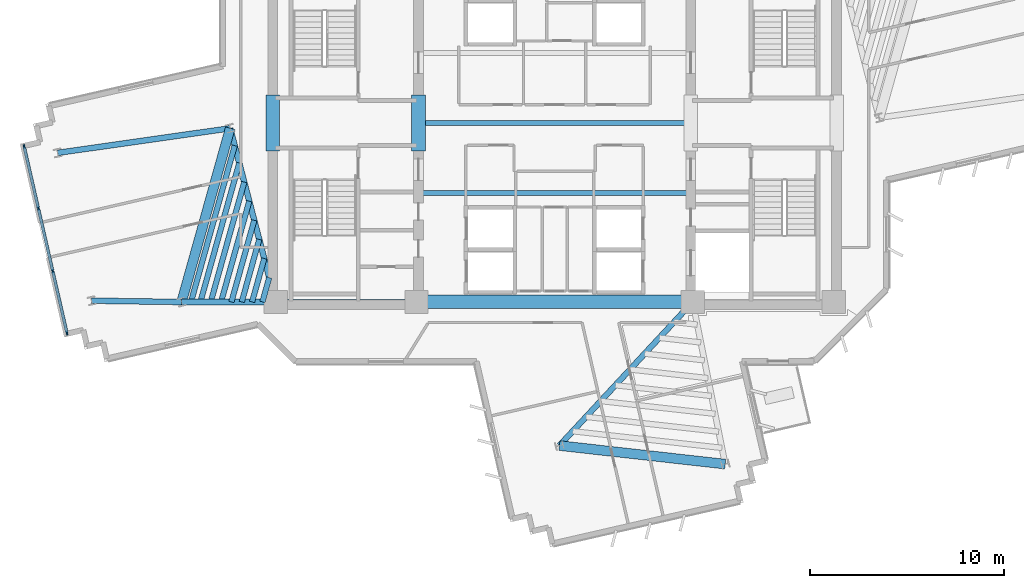
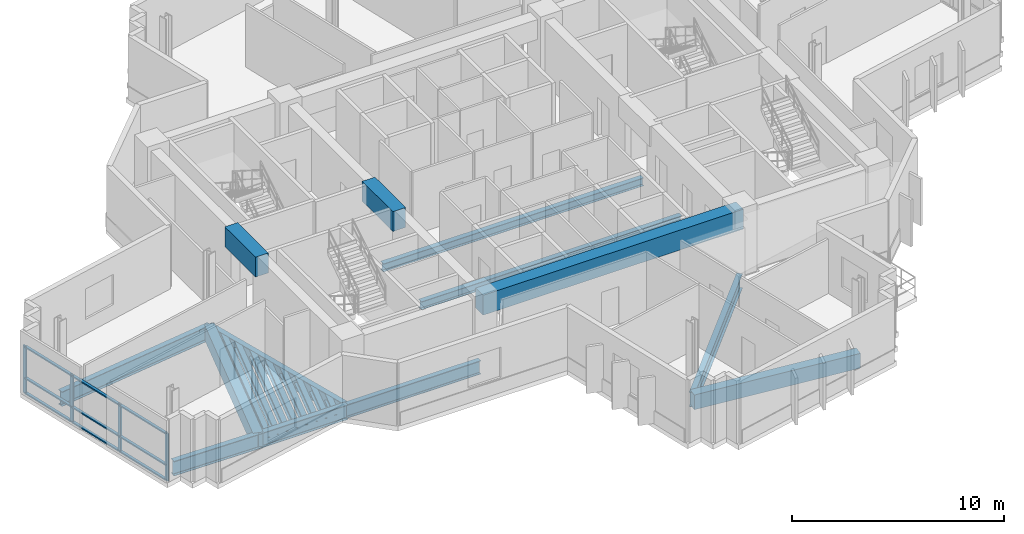
# One storey, part 2 of 13: 21 beams, 13 members, 1 element without a shape of its own.
"""IFC4 building model written with IfcOpenShell, lengths in metres."""

from ifc_helpers import new_model, si_unit, direction, frame, origin, origin_2d, place, context, subcontext, project, spatial, rectangle, i_section, extrude, source, transform, mapped, material, layer, layer_set, material_profile, profile_set, type_object, element, aggregate, save


model = new_model("IFC4")

# Units and contexts
model_context = context("Model", 3, precision=1e-05, world=origin(), true_north=direction((0.0, 1.0)))
body_context = subcontext(model_context, "Body", "Model", "MODEL_VIEW")
ifc_project = project(units=[si_unit("LENGTHUNIT", "METRE"), si_unit("AREAUNIT", "SQUARE_METRE"), si_unit("VOLUMEUNIT", "CUBIC_METRE"), si_unit("PLANEANGLEUNIT", "RADIAN"), si_unit("MASSUNIT", "GRAM", prefix="KILO")], contexts=[model_context])

# Site, building, storey
site_placement = place(None, origin())
site = spatial("IfcSite", under=ifc_project, at=site_placement, CompositionType="ELEMENT")
building_placement = place(site_placement, origin())
building = spatial("IfcBuilding", under=site, at=building_placement, Name="Zahravan Cultural Tower", CompositionType="ELEMENT")
storey_placement = place(building_placement, frame((0.0, 0.0, 170.699951171875)))
storey = spatial("IfcBuildingStorey", under=building, at=storey_placement, Name="L39", CompositionType="ELEMENT", Elevation=170.699951171875)

# Beams
ifc_material_1 = material(Name="Concrete C50/60", Category="concrete")
ifc_material_profile_1 = material_profile(ifc_material_1, rectangle(XDim=0.699951171875, YDim=1.14990234375, at=origin_2d()), Name="RC700X1150")
ifc_profile_set_1 = profile_set([ifc_material_profile_1], Name="Concrete C50/60")
beam_type_1 = type_object("IfcBeamType", Name="BM-LN-RC700X1150", PredefinedType="LINTEL", material=ifc_profile_set_1)
shared_shape_1 = source(origin(), body_context, "Body", "SweptSolid", [
    extrude(rectangle(XDim=0.699951171875, YDim=1.14990234375, at=origin_2d()), origin(), (0.0, 0.0, 1.0), 14.2001953125),
])
beam_1_placement = place(storey_placement, frame((28.89990234375, 17.800048828125, 3.045166015625), z_axis=(1.0, 0.0, 0.0), x_axis=(0.0, 1.0, 0.0)))
element("IfcBeam", 1, at=beam_1_placement, inside=storey, type_object=beam_type_1, Name="L39 Beam LN-L39-S", PredefinedType="LINTEL", context=body_context, shape_type="MappedRepresentation", body=[
    mapped(shared_shape_1, transform((0.0, 0.0, 0.0), x_axis=(1.0, 0.0, 0.0), y_axis=(0.0, 1.0, 0.0), z_axis=(0.0, 0.0, 1.0), scale=1.0)),
])
shared_shape_2 = source(origin(), body_context, "Body", "SweptSolid", [
    extrude(rectangle(XDim=0.699951171875, YDim=1.14990234375, at=origin_2d()), origin(), (0.0, 0.0, 1.0), 2.89990234375),
])
for number, where, z_axis, x_axis, name in (
    (2, (21.5, 25.550048828125, 3.045166015625), (0.0, 1.0, 0.0), (-1.0, 0.0, 0.0), "L39 Beam LN-L39-PWW"),
    (3, (29.0, 25.550048828125, 3.045166015625), (0.0, 1.0, 0.0), (-1.0, 0.0, 0.0), "L39 Beam LN-L39-PWE"),
):
    element("IfcBeam", number, at=place(storey_placement, frame(where, z_axis=z_axis, x_axis=x_axis)), inside=storey, type_object=beam_type_1, Name=name, PredefinedType="LINTEL", context=body_context, shape_type="MappedRepresentation", body=[
        mapped(shared_shape_2, transform((0.0, 0.0, 0.0), x_axis=(1.0, 0.0, 0.0), y_axis=(0.0, 1.0, 0.0), z_axis=(0.0, 0.0, 1.0), scale=1.0)),
    ])
ifc_material_2 = material(Name="Steel ASTM A992 Grade 50", Category="steel")
ifc_material_profile_2 = material_profile(ifc_material_2, i_section(OverallWidth=0.26611328125, OverallDepth=0.780029296875, WebThickness=0.0166015625, FlangeThickness=0.030029296875, FilletRadius=0.01904296875, at=origin_2d()), Name="W30X148")
ifc_profile_set_2 = profile_set([ifc_material_profile_2], Name="Steel ASTM A992 Grade 50")
beam_type_2 = type_object("IfcBeamType", Name="BM-G-W30X148", PredefinedType="BEAM", material=ifc_profile_set_2)
shared_shape_3 = source(origin(), body_context, "Body", "SweptSolid", [
    extrude(i_section(OverallWidth=0.26611328125, OverallDepth=0.780029296875, WebThickness=0.0166015625, FlangeThickness=0.030029296875, FilletRadius=0.01904296875, at=origin_2d()), origin(), (0.0, 0.0, 1.0), 7.25),
])
beam_2_placement = place(storey_placement, frame((21.64990234375, 17.800048828125, -0.669921875), z_axis=(1.0, 0.0, 0.0), x_axis=(0.0, 1.0, 0.0)))
element("IfcBeam", 4, at=beam_2_placement, inside=storey, type_object=beam_type_2, Name="L39 Beam BG-L39-01", PredefinedType="BEAM", context=body_context, shape_type="MappedRepresentation", body=[
    mapped(shared_shape_3, transform((0.0, 0.0, 0.0), x_axis=(1.0, 0.0, 0.0), y_axis=(0.0, 1.0, 0.0), z_axis=(0.0, 0.0, 1.0), scale=1.0)),
])
ifc_material_profile_3 = material_profile(ifc_material_1, rectangle(XDim=0.5, YDim=0.85009765625, at=origin_2d()), Name="RC500X850")
ifc_profile_set_3 = profile_set([ifc_material_profile_3], Name="Concrete C50/60")
beam_type_3 = type_object("IfcBeamType", Name="BM-SP-RC500X850", PredefinedType="SPANDREL", material=ifc_profile_set_3)
shared_shape_4 = source(origin(), body_context, "Body", "SweptSolid", [
    extrude(rectangle(XDim=0.5, YDim=0.85009765625, at=origin_2d()), origin(), (0.0, 0.0, 1.0), 9.2783203125),
])
beam_3_placement = place(storey_placement, frame((19.315673828125, 26.72900390625, -0.704833984375), z_axis=(-0.269497187032, -0.963001176625, 0.0), x_axis=(0.963001176625, -0.269497187032, 0.0)))
element("IfcBeam", 5, at=beam_3_placement, inside=storey, type_object=beam_type_3, Name="L39 Beam SP-L39-19", PredefinedType="SPANDREL", context=body_context, shape_type="MappedRepresentation", body=[
    mapped(shared_shape_4, transform((0.0, 0.0, 0.0), x_axis=(1.0, 0.0, 0.0), y_axis=(0.0, 1.0, 0.0), z_axis=(0.0, 0.0, 1.0), scale=1.0)),
])
shared_shape_5 = source(origin(), body_context, "Body", "SweptSolid", [
    extrude(rectangle(XDim=0.5, YDim=0.85009765625, at=origin_2d()), origin(), (0.0, 0.0, 1.0), 8.579833984375),
])
beam_4_placement = place(storey_placement, frame((36.245361328125, 10.412353515625, -0.704833984375), z_axis=(0.9938040105, -0.11114669907, 0.0), x_axis=(0.11114669907, 0.9938040105, 0.0)))
element("IfcBeam", 6, at=beam_4_placement, inside=storey, type_object=beam_type_3, Name="L39 Beam SP-L39-20", PredefinedType="SPANDREL", context=body_context, shape_type="MappedRepresentation", body=[
    mapped(shared_shape_5, transform((0.0, 0.0, 0.0), x_axis=(1.0, 0.0, 0.0), y_axis=(0.0, 1.0, 0.0), z_axis=(0.0, 0.0, 1.0), scale=1.0)),
])
ifc_material_profile_4 = material_profile(ifc_material_2, i_section(OverallWidth=0.29296875, OverallDepth=0.845947265625, WebThickness=0.015380859375, FlangeThickness=0.0244140625, FilletRadius=0.02001953125, at=origin_2d()), Name="W33X141")
ifc_profile_set_4 = profile_set([ifc_material_profile_4], Name="Steel ASTM A992 Grade 50")
beam_type_4 = type_object("IfcBeamType", Name="BM-G-W33X141", PredefinedType="BEAM", material=ifc_profile_set_4)
shared_shape_6 = source(origin(), body_context, "Body", "SweptSolid", [
    extrude(i_section(OverallWidth=0.29296875, OverallDepth=0.845947265625, WebThickness=0.015380859375, FlangeThickness=0.0244140625, FilletRadius=0.02001953125, at=origin_2d()), origin(), (0.0, 0.0, 1.0), 9.22900390625),
])
beam_5_placement = place(storey_placement, frame((21.64990234375, 17.800048828125, -0.702880859375), z_axis=(-0.252922608408, 0.967486513682, 0.0), x_axis=(-0.967486513682, -0.252922608408, 0.0)))
element("IfcBeam", 7, at=beam_5_placement, inside=storey, type_object=beam_type_4, Name="L39 Beam BG-L39-07", PredefinedType="BEAM", context=body_context, shape_type="MappedRepresentation", body=[
    mapped(shared_shape_6, transform((0.0, 0.0, 0.0), x_axis=(1.0, 0.0, 0.0), y_axis=(0.0, 1.0, 0.0), z_axis=(0.0, 0.0, 1.0), scale=1.0)),
])
shared_shape_7 = source(origin(), body_context, "Body", "SweptSolid", [
    extrude(i_section(OverallWidth=0.29296875, OverallDepth=0.845947265625, WebThickness=0.015380859375, FlangeThickness=0.0244140625, FilletRadius=0.02001953125, at=origin_2d()), origin(), (0.0, 0.0, 1.0), 4.834716796875),
])
beam_6_placement = place(storey_placement, frame((21.64990234375, 17.800048828125, -0.702880859375), z_axis=(-0.99999920313, -0.001262433979, 0.0), x_axis=(0.001262433979, -0.99999920313, 0.0)))
element("IfcBeam", 8, at=beam_6_placement, inside=storey, type_object=beam_type_4, Name="L39 Beam BG-L39-08", PredefinedType="BEAM", context=body_context, shape_type="MappedRepresentation", body=[
    mapped(shared_shape_7, transform((0.0, 0.0, 0.0), x_axis=(1.0, 0.0, 0.0), y_axis=(0.0, 1.0, 0.0), z_axis=(0.0, 0.0, 1.0), scale=1.0)),
])
shared_shape_8 = source(origin(), body_context, "Body", "SweptSolid", [
    extrude(i_section(OverallWidth=0.29296875, OverallDepth=0.845947265625, WebThickness=0.015380859375, FlangeThickness=0.0244140625, FilletRadius=0.02001953125, at=origin_2d()), origin(), (0.0, 0.0, 1.0), 10.077880859375),
])
beam_7_placement = place(storey_placement, frame((43.10009765625, 17.800048828125, -0.702880859375), z_axis=(-0.680170435587, -0.733054007938, 0.0), x_axis=(0.733054007938, -0.680170435587, 0.0)))
element("IfcBeam", 9, at=beam_7_placement, inside=storey, type_object=beam_type_4, Name="L39 Beam BG-L39-09", PredefinedType="BEAM", context=body_context, shape_type="MappedRepresentation", body=[
    mapped(shared_shape_8, transform((0.0, 0.0, 0.0), x_axis=(1.0, 0.0, 0.0), y_axis=(0.0, 1.0, 0.0), z_axis=(0.0, 0.0, 1.0), scale=1.0)),
])
shared_shape_9 = source(origin(), body_context, "Body", "SweptSolid", [
    extrude(i_section(OverallWidth=0.29296875, OverallDepth=0.845947265625, WebThickness=0.015380859375, FlangeThickness=0.0244140625, FilletRadius=0.02001953125, at=origin_2d()), origin(), (0.0, 0.0, 1.0), 8.9580078125),
])
beam_8_placement = place(storey_placement, frame((19.315673828125, 26.72900390625, -0.702880859375), z_axis=(-0.990000122431, -0.141066500584, 0.0), x_axis=(0.141066500584, -0.990000122431, 0.0)))
element("IfcBeam", 10, at=beam_8_placement, inside=storey, type_object=beam_type_4, Name="L39 Beam BG-L39-17", PredefinedType="BEAM", context=body_context, shape_type="MappedRepresentation", body=[
    mapped(shared_shape_9, transform((0.0, 0.0, 0.0), x_axis=(1.0, 0.0, 0.0), y_axis=(0.0, 1.0, 0.0), z_axis=(0.0, 0.0, 1.0), scale=1.0)),
])
shared_shape_10 = source(origin(), body_context, "Body", "SweptSolid", [
    extrude(i_section(OverallWidth=0.29296875, OverallDepth=0.845947265625, WebThickness=0.015380859375, FlangeThickness=0.0244140625, FilletRadius=0.02001953125, at=origin_2d()), origin(), (0.0, 0.0, 1.0), 4.622314453125),
])
beam_9_placement = place(storey_placement, frame((16.815185546875, 17.7939453125, -0.702880859375), z_axis=(-0.999889070044, 0.014894549562, 0.0), x_axis=(-0.014894549562, -0.999889070044, 0.0)))
element("IfcBeam", 11, at=beam_9_placement, inside=storey, type_object=beam_type_4, Name="L39 Beam BG-L39-18", PredefinedType="BEAM", context=body_context, shape_type="MappedRepresentation", body=[
    mapped(shared_shape_10, transform((0.0, 0.0, 0.0), x_axis=(1.0, 0.0, 0.0), y_axis=(0.0, 1.0, 0.0), z_axis=(0.0, 0.0, 1.0), scale=1.0)),
])
ifc_material_profile_5 = material_profile(ifc_material_2, i_section(OverallWidth=0.280029296875, OverallDepth=0.462890625, WebThickness=0.0107421875, FlangeThickness=0.017333984375, FilletRadius=0.012939453125, at=origin_2d()), Name="W18X76")
ifc_profile_set_5 = profile_set([ifc_material_profile_5], Name="Steel ASTM A992 Grade 50")
beam_type_5 = type_object("IfcBeamType", Name="BM-J-W18X76", PredefinedType="JOIST", material=ifc_profile_set_5)
shared_shape_11 = source(origin(), body_context, "Body", "SweptSolid", [
    extrude(i_section(OverallWidth=0.280029296875, OverallDepth=0.462890625, WebThickness=0.0107421875, FlangeThickness=0.017333984375, FilletRadius=0.012939453125, at=origin_2d()), origin(), (0.0, 0.0, 1.0), 14.2001953125),
])
for number, where, z_axis, x_axis, name in (
    (12, (28.89990234375, 23.39990234375, -0.511474609375), (1.0, 0.0, 0.0), (0.0, 1.0, 0.0), "L39 Beam BJ-L39-23"),
    (13, (28.89990234375, 27.0, -0.511474609375), (1.0, 0.0, 0.0), (0.0, 1.0, 0.0), "L39 Beam BJ-L39-24"),
):
    element("IfcBeam", number, at=place(storey_placement, frame(where, z_axis=z_axis, x_axis=x_axis)), inside=storey, type_object=beam_type_5, Name=name, PredefinedType="JOIST", context=body_context, shape_type="MappedRepresentation", body=[
        mapped(shared_shape_11, transform((0.0, 0.0, 0.0), x_axis=(1.0, 0.0, 0.0), y_axis=(0.0, 1.0, 0.0), z_axis=(0.0, 0.0, 1.0), scale=1.0)),
    ])
shared_shape_12 = source(origin(), body_context, "Body", "SweptSolid", [
    extrude(i_section(OverallWidth=0.280029296875, OverallDepth=0.462890625, WebThickness=0.0107421875, FlangeThickness=0.017333984375, FilletRadius=0.012939453125, at=origin_2d()), origin(), (0.0, 0.0, 1.0), 1.299072265625),
])
beam_10_placement = place(storey_placement, frame((21.3232421875, 19.050048828125, -0.511474609375), z_axis=(-0.269504444708, -0.962999145525, 0.0), x_axis=(0.962999145525, -0.269504444708, 0.0)))
element("IfcBeam", 14, at=beam_10_placement, inside=storey, type_object=beam_type_5, Name="L39 Beam BJ-L39-26", PredefinedType="JOIST", context=body_context, shape_type="MappedRepresentation", body=[
    mapped(shared_shape_12, transform((0.0, 0.0, 0.0), x_axis=(1.0, 0.0, 0.0), y_axis=(0.0, 1.0, 0.0), z_axis=(0.0, 0.0, 1.0), scale=1.0)),
])
shared_shape_13 = source(origin(), body_context, "Body", "SweptSolid", [
    extrude(i_section(OverallWidth=0.280029296875, OverallDepth=0.462890625, WebThickness=0.0107421875, FlangeThickness=0.017333984375, FilletRadius=0.012939453125, at=origin_2d()), origin(), (0.0, 0.0, 1.0), 2.3193359375),
])
beam_11_placement = place(storey_placement, frame((21.06640625, 20.0322265625, -0.511474609375), z_axis=(-0.269462038626, -0.963011012263, 0.0), x_axis=(0.963011012263, -0.269462038626, 0.0)))
element("IfcBeam", 15, at=beam_11_placement, inside=storey, type_object=beam_type_5, Name="L39 Beam BJ-L39-27", PredefinedType="JOIST", context=body_context, shape_type="MappedRepresentation", body=[
    mapped(shared_shape_13, transform((0.0, 0.0, 0.0), x_axis=(1.0, 0.0, 0.0), y_axis=(0.0, 1.0, 0.0), z_axis=(0.0, 0.0, 1.0), scale=1.0)),
])
shared_shape_14 = source(origin(), body_context, "Body", "SweptSolid", [
    extrude(i_section(OverallWidth=0.280029296875, OverallDepth=0.462890625, WebThickness=0.0107421875, FlangeThickness=0.017333984375, FilletRadius=0.012939453125, at=origin_2d()), origin(), (0.0, 0.0, 1.0), 3.340087890625),
])
beam_12_placement = place(storey_placement, frame((20.809814453125, 21.014404296875, -0.511474609375), z_axis=(-0.269562146951, -0.962982995141, 0.0), x_axis=(0.962982995141, -0.269562146951, 0.0)))
element("IfcBeam", 16, at=beam_12_placement, inside=storey, type_object=beam_type_5, Name="L39 Beam BJ-L39-28", PredefinedType="JOIST", context=body_context, shape_type="MappedRepresentation", body=[
    mapped(shared_shape_14, transform((0.0, 0.0, 0.0), x_axis=(1.0, 0.0, 0.0), y_axis=(0.0, 1.0, 0.0), z_axis=(0.0, 0.0, 1.0), scale=1.0)),
])
shared_shape_15 = source(origin(), body_context, "Body", "SweptSolid", [
    extrude(i_section(OverallWidth=0.280029296875, OverallDepth=0.462890625, WebThickness=0.0107421875, FlangeThickness=0.017333984375, FilletRadius=0.012939453125, at=origin_2d()), origin(), (0.0, 0.0, 1.0), 4.36083984375),
])
beam_13_placement = place(storey_placement, frame((20.552978515625, 21.99658203125, -0.511474609375), z_axis=(-0.269511557673, -0.962997154866, 0.0), x_axis=(0.962997154866, -0.269511557673, 0.0)))
element("IfcBeam", 17, at=beam_13_placement, inside=storey, type_object=beam_type_5, Name="L39 Beam BJ-L39-29", PredefinedType="JOIST", context=body_context, shape_type="MappedRepresentation", body=[
    mapped(shared_shape_15, transform((0.0, 0.0, 0.0), x_axis=(1.0, 0.0, 0.0), y_axis=(0.0, 1.0, 0.0), z_axis=(0.0, 0.0, 1.0), scale=1.0)),
])
shared_shape_16 = source(origin(), body_context, "Body", "SweptSolid", [
    extrude(i_section(OverallWidth=0.280029296875, OverallDepth=0.462890625, WebThickness=0.0107421875, FlangeThickness=0.017333984375, FilletRadius=0.012939453125, at=origin_2d()), origin(), (0.0, 0.0, 1.0), 5.3818359375),
])
beam_14_placement = place(storey_placement, frame((20.296142578125, 22.97900390625, -0.511474609375), z_axis=(-0.269510454638, -0.962997463569, 0.0), x_axis=(0.962997463569, -0.269510454638, 0.0)))
element("IfcBeam", 18, at=beam_14_placement, inside=storey, type_object=beam_type_5, Name="L39 Beam BJ-L39-30", PredefinedType="JOIST", context=body_context, shape_type="MappedRepresentation", body=[
    mapped(shared_shape_16, transform((0.0, 0.0, 0.0), x_axis=(1.0, 0.0, 0.0), y_axis=(0.0, 1.0, 0.0), z_axis=(0.0, 0.0, 1.0), scale=1.0)),
])
shared_shape_17 = source(origin(), body_context, "Body", "SweptSolid", [
    extrude(i_section(OverallWidth=0.280029296875, OverallDepth=0.462890625, WebThickness=0.0107421875, FlangeThickness=0.017333984375, FilletRadius=0.012939453125, at=origin_2d()), origin(), (0.0, 0.0, 1.0), 6.402099609375),
])
beam_15_placement = place(storey_placement, frame((20.039306640625, 23.961181640625, -0.511474609375), z_axis=(-0.269494133533, -0.963002031146, 0.0), x_axis=(0.963002031146, -0.269494133533, 0.0)))
element("IfcBeam", 19, at=beam_15_placement, inside=storey, type_object=beam_type_5, Name="L39 Beam BJ-L39-31", PredefinedType="JOIST", context=body_context, shape_type="MappedRepresentation", body=[
    mapped(shared_shape_17, transform((0.0, 0.0, 0.0), x_axis=(1.0, 0.0, 0.0), y_axis=(0.0, 1.0, 0.0), z_axis=(0.0, 0.0, 1.0), scale=1.0)),
])
shared_shape_18 = source(origin(), body_context, "Body", "SweptSolid", [
    extrude(i_section(OverallWidth=0.280029296875, OverallDepth=0.462890625, WebThickness=0.0107421875, FlangeThickness=0.017333984375, FilletRadius=0.012939453125, at=origin_2d()), origin(), (0.0, 0.0, 1.0), 7.4228515625),
])
beam_16_placement = place(storey_placement, frame((19.78271484375, 24.943359375, -0.511474609375), z_axis=(-0.269504266128, -0.962999195503, 0.0), x_axis=(0.962999195503, -0.269504266128, 0.0)))
element("IfcBeam", 20, at=beam_16_placement, inside=storey, type_object=beam_type_5, Name="L39 Beam BJ-L39-32", PredefinedType="JOIST", context=body_context, shape_type="MappedRepresentation", body=[
    mapped(shared_shape_18, transform((0.0, 0.0, 0.0), x_axis=(1.0, 0.0, 0.0), y_axis=(0.0, 1.0, 0.0), z_axis=(0.0, 0.0, 1.0), scale=1.0)),
])
shared_shape_19 = source(origin(), body_context, "Body", "SweptSolid", [
    extrude(i_section(OverallWidth=0.280029296875, OverallDepth=0.462890625, WebThickness=0.0107421875, FlangeThickness=0.017333984375, FilletRadius=0.012939453125, at=origin_2d()), origin(), (0.0, 0.0, 1.0), 8.350830078125),
])
beam_17_placement = place(storey_placement, frame((19.549072265625, 25.836181640625, -0.511474609375), z_axis=(-0.269496539555, -0.963001357822, 0.0), x_axis=(0.963001357822, -0.269496539555, 0.0)))
element("IfcBeam", 21, at=beam_17_placement, inside=storey, type_object=beam_type_5, Name="L39 Beam BJ-L39-33", PredefinedType="JOIST", context=body_context, shape_type="MappedRepresentation", body=[
    mapped(shared_shape_19, transform((0.0, 0.0, 0.0), x_axis=(1.0, 0.0, 0.0), y_axis=(0.0, 1.0, 0.0), z_axis=(0.0, 0.0, 1.0), scale=1.0)),
])

# Curtain wall, members
ifc_material_3 = material(Name="Anodised bronze-aluminium mullion", Category="aluminium")
ifc_layer = layer(ifc_material_3, 0.199951171875)
ifc_layer_set = layer_set([ifc_layer], Name="Anodised bronze-aluminium mullion")
curtain_wall_type = type_object("IfcCurtainWallType", Name="CW-SYS-2", PredefinedType="USERDEFINED", material=ifc_layer_set)
curtain_wall_placement = place(storey_placement, origin())
curtain_wall = element("IfcCurtainWall", 22, at=curtain_wall_placement, inside=storey, type_object=curtain_wall_type, Name="L39 Recessed Curtain Wall CW-2.2", ObjectType="RECESSED GLAZING", PredefinedType="USERDEFINED")
ifc_material_profile_6 = material_profile(ifc_material_3, rectangle(XDim=0.14990234375, YDim=0.074951171875, at=origin_2d()), Name="AL-T75X150")
ifc_profile_set_6 = profile_set([ifc_material_profile_6], Name="Anodised bronze-aluminium mullion")
member_type_1 = type_object("IfcMemberType", Name="CWT-CW-2", PredefinedType="USERDEFINED", material=ifc_profile_set_6)
shared_shape_20 = source(origin(), body_context, "Body", "SweptSolid", [
    extrude(rectangle(XDim=0.14990234375, YDim=0.074951171875, at=origin_2d()), origin(), (0.0, 0.0, 1.0), 3.231689453125),
])
member_1_placement = place(storey_placement, frame((10.181396484375, 19.41943359375, 0.03759765625), z_axis=(-0.223612410079, 0.974678146907, 0.0), x_axis=(-0.974678146907, -0.223612410079, 0.0)))
member_1 = element("IfcMember", 23, at=member_1_placement, type_object=member_type_1, Name="CW-2 transom 2.1", ObjectType="TRANSOM", PredefinedType="USERDEFINED", context=body_context, shape_type="MappedRepresentation", body=[
    mapped(shared_shape_20, transform((0.0, 0.0, 0.0), x_axis=(1.0, 0.0, 0.0), y_axis=(0.0, 1.0, 0.0), z_axis=(0.0, 0.0, 1.0), scale=1.0)),
])
member_2_placement = place(storey_placement, frame((10.181396484375, 19.41943359375, 0.900146484375), z_axis=(-0.223612410079, 0.974678146907, 0.0), x_axis=(-0.974678146907, -0.223612410079, 0.0)))
member_2 = element("IfcMember", 24, at=member_2_placement, type_object=member_type_1, Name="CW-2 transom 2.2", ObjectType="TRANSOM", PredefinedType="USERDEFINED", context=body_context, shape_type="MappedRepresentation", body=[
    mapped(shared_shape_20, transform((0.0, 0.0, 0.0), x_axis=(1.0, 0.0, 0.0), y_axis=(0.0, 1.0, 0.0), z_axis=(0.0, 0.0, 1.0), scale=1.0)),
])
member_3_placement = place(storey_placement, frame((10.181396484375, 19.41943359375, 2.70263671875), z_axis=(-0.223612410079, 0.974678146907, 0.0), x_axis=(-0.974678146907, -0.223612410079, 0.0)))
member_3 = element("IfcMember", 25, at=member_3_placement, type_object=member_type_1, Name="CW-2 transom 2.3", ObjectType="TRANSOM", PredefinedType="USERDEFINED", context=body_context, shape_type="MappedRepresentation", body=[
    mapped(shared_shape_20, transform((0.0, 0.0, 0.0), x_axis=(1.0, 0.0, 0.0), y_axis=(0.0, 1.0, 0.0), z_axis=(0.0, 0.0, 1.0), scale=1.0)),
])
ifc_material_profile_7 = material_profile(ifc_material_3, rectangle(XDim=0.074951171875, YDim=0.199951171875, at=origin_2d()), Name="AL-M75X200")
ifc_profile_set_7 = profile_set([ifc_material_profile_7], Name="Anodised bronze-aluminium mullion")
member_type_2 = type_object("IfcMemberType", Name="CWM-CW-2", PredefinedType="MULLION", material=ifc_profile_set_7)
shared_shape_21 = source(origin(), body_context, "Body", "SweptSolid", [
    extrude(rectangle(XDim=0.074951171875, YDim=0.199951171875, at=origin_2d()), origin(), (0.0, 0.0, 1.0), 2.739990234375),
])
member_4_placement = place(storey_placement, frame((10.920654296875, 16.196533203125, 0.0), z_axis=(0.0, 0.0, 1.0), x_axis=(-0.974681078884, -0.223599629842, 0.0)))
member_4 = element("IfcMember", 26, at=member_4_placement, type_object=member_type_2, Name="CW-2 mullion 1", PredefinedType="MULLION", context=body_context, shape_type="MappedRepresentation", body=[
    mapped(shared_shape_21, transform((0.0, 0.0, 0.0), x_axis=(1.0, 0.0, 0.0), y_axis=(0.0, 1.0, 0.0), z_axis=(0.0, 0.0, 1.0), scale=1.0)),
])
member_5_placement = place(storey_placement, frame((10.189697265625, 19.3828125, 0.0), z_axis=(0.0, 0.0, 1.0), x_axis=(-0.974681078884, -0.223599629842, 0.0)))
member_5 = element("IfcMember", 27, at=member_5_placement, type_object=member_type_2, Name="CW-2 mullion 2", PredefinedType="MULLION", context=body_context, shape_type="MappedRepresentation", body=[
    mapped(shared_shape_21, transform((0.0, 0.0, 0.0), x_axis=(1.0, 0.0, 0.0), y_axis=(0.0, 1.0, 0.0), z_axis=(0.0, 0.0, 1.0), scale=1.0)),
])
member_6_placement = place(storey_placement, frame((9.450439453125, 22.60595703125, 0.0), z_axis=(0.0, 0.0, 1.0), x_axis=(-0.974681078884, -0.223599629842, 0.0)))
member_6 = element("IfcMember", 28, at=member_6_placement, type_object=member_type_2, Name="CW-2 mullion 3", PredefinedType="MULLION", context=body_context, shape_type="MappedRepresentation", body=[
    mapped(shared_shape_21, transform((0.0, 0.0, 0.0), x_axis=(1.0, 0.0, 0.0), y_axis=(0.0, 1.0, 0.0), z_axis=(0.0, 0.0, 1.0), scale=1.0)),
])
member_7_placement = place(storey_placement, frame((8.719482421875, 25.792236328125, 0.0), z_axis=(0.0, 0.0, 1.0), x_axis=(-0.974681078884, -0.223599629842, 0.0)))
member_7 = element("IfcMember", 29, at=member_7_placement, type_object=member_type_2, Name="CW-2 mullion 4", PredefinedType="MULLION", context=body_context, shape_type="MappedRepresentation", body=[
    mapped(shared_shape_21, transform((0.0, 0.0, 0.0), x_axis=(1.0, 0.0, 0.0), y_axis=(0.0, 1.0, 0.0), z_axis=(0.0, 0.0, 1.0), scale=1.0)),
])
shared_shape_22 = source(origin(), body_context, "Body", "SweptSolid", [
    extrude(rectangle(XDim=0.14990234375, YDim=0.074951171875, at=origin_2d()), origin(), (0.0, 0.0, 1.0), 3.194091796875),
])
member_8_placement = place(storey_placement, frame((10.912353515625, 16.233154296875, 0.03759765625), z_axis=(-0.223642417861, 0.974671261982, 0.0), x_axis=(-0.974671261982, -0.223642417861, 0.0)))
member_8 = element("IfcMember", 30, at=member_8_placement, type_object=member_type_1, Name="CW-2 transom 1.1", ObjectType="TRANSOM", PredefinedType="USERDEFINED", context=body_context, shape_type="MappedRepresentation", body=[
    mapped(shared_shape_22, transform((0.0, 0.0, 0.0), x_axis=(1.0, 0.0, 0.0), y_axis=(0.0, 1.0, 0.0), z_axis=(0.0, 0.0, 1.0), scale=1.0)),
])
member_9_placement = place(storey_placement, frame((10.912353515625, 16.233154296875, 0.900146484375), z_axis=(-0.223642417861, 0.974671261982, 0.0), x_axis=(-0.974671261982, -0.223642417861, 0.0)))
member_9 = element("IfcMember", 31, at=member_9_placement, type_object=member_type_1, Name="CW-2 transom 1.2", ObjectType="TRANSOM", PredefinedType="USERDEFINED", context=body_context, shape_type="MappedRepresentation", body=[
    mapped(shared_shape_22, transform((0.0, 0.0, 0.0), x_axis=(1.0, 0.0, 0.0), y_axis=(0.0, 1.0, 0.0), z_axis=(0.0, 0.0, 1.0), scale=1.0)),
])
member_10_placement = place(storey_placement, frame((10.912353515625, 16.233154296875, 2.70263671875), z_axis=(-0.223642417861, 0.974671261982, 0.0), x_axis=(-0.974671261982, -0.223642417861, 0.0)))
member_10 = element("IfcMember", 32, at=member_10_placement, type_object=member_type_1, Name="CW-2 transom 1.3", ObjectType="TRANSOM", PredefinedType="USERDEFINED", context=body_context, shape_type="MappedRepresentation", body=[
    mapped(shared_shape_22, transform((0.0, 0.0, 0.0), x_axis=(1.0, 0.0, 0.0), y_axis=(0.0, 1.0, 0.0), z_axis=(0.0, 0.0, 1.0), scale=1.0)),
])
member_11_placement = place(storey_placement, frame((9.44189453125, 22.642333984375, 0.03759765625), z_axis=(-0.223569806042, 0.974687920222, 0.0), x_axis=(-0.974687920222, -0.223569806042, 0.0)))
member_11 = element("IfcMember", 33, at=member_11_placement, type_object=member_type_1, Name="CW-2 transom 3.1", ObjectType="TRANSOM", PredefinedType="USERDEFINED", context=body_context, shape_type="MappedRepresentation", body=[
    mapped(shared_shape_22, transform((0.0, 0.0, 0.0), x_axis=(1.0, 0.0, 0.0), y_axis=(0.0, 1.0, 0.0), z_axis=(0.0, 0.0, 1.0), scale=1.0)),
])
member_12_placement = place(storey_placement, frame((9.44189453125, 22.642333984375, 0.900146484375), z_axis=(-0.223569806042, 0.974687920222, 0.0), x_axis=(-0.974687920222, -0.223569806042, 0.0)))
member_12 = element("IfcMember", 34, at=member_12_placement, type_object=member_type_1, Name="CW-2 transom 3.2", ObjectType="TRANSOM", PredefinedType="USERDEFINED", context=body_context, shape_type="MappedRepresentation", body=[
    mapped(shared_shape_22, transform((0.0, 0.0, 0.0), x_axis=(1.0, 0.0, 0.0), y_axis=(0.0, 1.0, 0.0), z_axis=(0.0, 0.0, 1.0), scale=1.0)),
])
member_13_placement = place(storey_placement, frame((9.44189453125, 22.642333984375, 2.70263671875), z_axis=(-0.223569806042, 0.974687920222, 0.0), x_axis=(-0.974687920222, -0.223569806042, 0.0)))
member_13 = element("IfcMember", 35, at=member_13_placement, type_object=member_type_1, Name="CW-2 transom 3.3", ObjectType="TRANSOM", PredefinedType="USERDEFINED", context=body_context, shape_type="MappedRepresentation", body=[
    mapped(shared_shape_22, transform((0.0, 0.0, 0.0), x_axis=(1.0, 0.0, 0.0), y_axis=(0.0, 1.0, 0.0), z_axis=(0.0, 0.0, 1.0), scale=1.0)),
])
aggregate(curtain_wall, [member_4, member_5, member_6, member_7, member_8, member_9, member_10, member_1, member_2, member_3, member_11, member_12, member_13])

save(model, "model.ifc")
